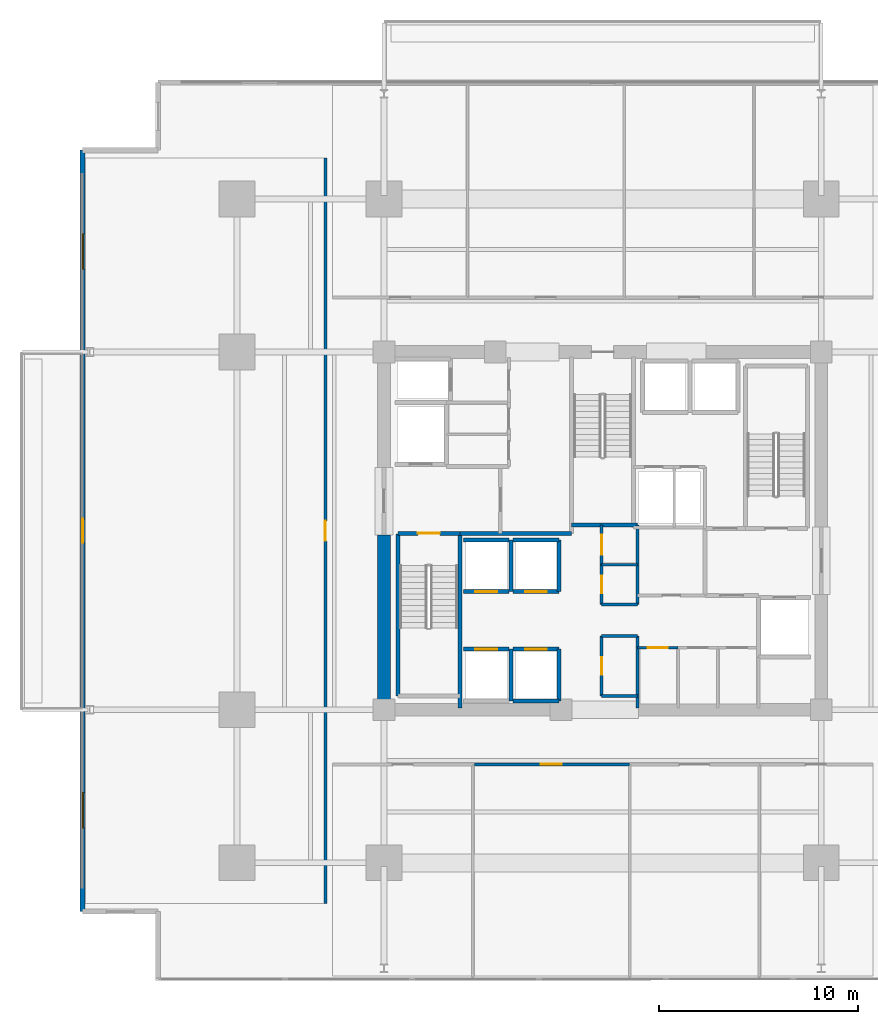
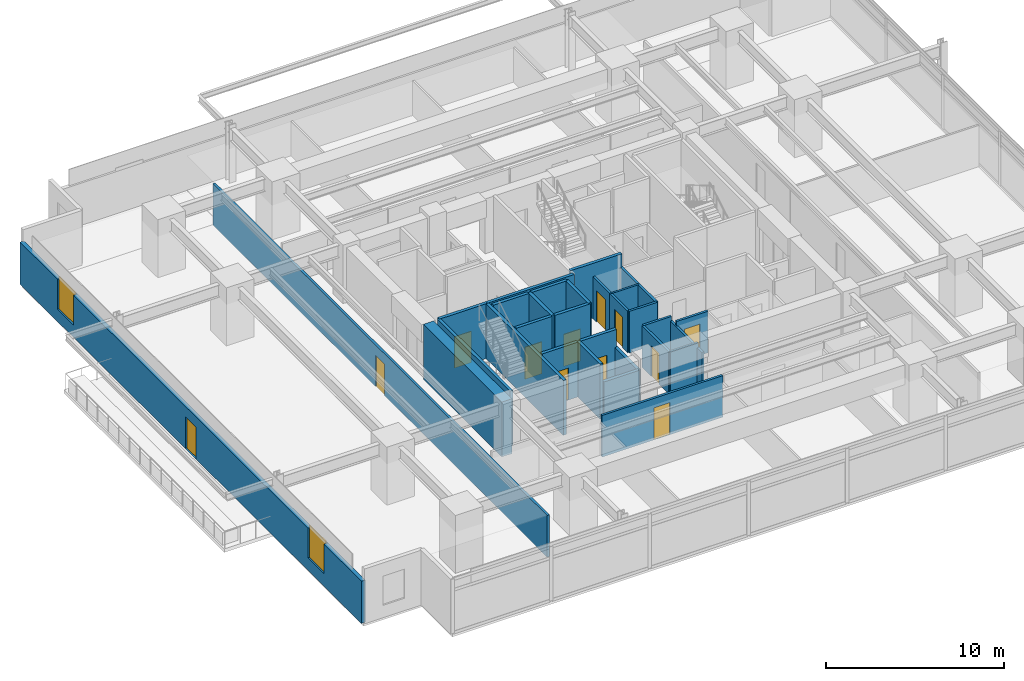
# One storey, part 13 of 20: 30 walls, 12 doors, 2 windows, 14 openings.
"""IFC4 building model written with IfcOpenShell, lengths in metres."""

from ifc_helpers import new_model, si_unit, direction, frame, frame_2d, origin, place, context, subcontext, project, spatial, rectangle, extrude, material, layer, layer_set, type_object, element, fill, save


model = new_model("IFC4")

# Units and contexts
model_context = context("Model", 3, precision=1e-05, world=origin(), true_north=direction((0.0, 1.0)))
body_context = subcontext(model_context, "Body", "Model", "MODEL_VIEW")
ifc_project = project(units=[si_unit("LENGTHUNIT", "METRE"), si_unit("AREAUNIT", "SQUARE_METRE"), si_unit("VOLUMEUNIT", "CUBIC_METRE"), si_unit("PLANEANGLEUNIT", "RADIAN"), si_unit("MASSUNIT", "GRAM", prefix="KILO")], contexts=[model_context])

# Site, building, storey
site_placement = place(None, origin())
site = spatial("IfcSite", under=ifc_project, at=site_placement, CompositionType="ELEMENT")
building_placement = place(site_placement, origin())
building = spatial("IfcBuilding", under=site, at=building_placement, Name="Kovane Verandah Tower", CompositionType="ELEMENT")
storey_placement = place(building_placement, frame((0.0, 0.0, 75.60009765625)))
storey = spatial("IfcBuildingStorey", under=building, at=storey_placement, Name="L17", CompositionType="ELEMENT", Elevation=75.60009765625)

# Walls
ifc_material_1 = material(Name="Fire-Rated Gypsum Stud Partition", Category="gypsum")
ifc_layer_1 = layer(ifc_material_1, 0.14990234375)
ifc_layer_set_1 = layer_set([ifc_layer_1], Name="Fire-Rated Gypsum Stud Partition")
wall_type_1 = type_object("IfcWallType", Name="WL-COR-150", PredefinedType="PARTITIONING", material=ifc_layer_set_1)
for number, where, z_axis, x_axis, name in (
    (1, (39.949951171875, 19.199951171875, 0.0), (0.0, 0.0, 1.0), (1.0, 0.0, 0.0), "L17 Central Core Strip South Wall"),
    (2, (39.949951171875, 22.199951171875, 0.0), (0.0, 0.0, 1.0), (1.0, 0.0, 0.0), "L17 Core Cross-Passage South Wall"),
    (3, (39.949951171875, 23.800048828125, 0.0), (0.0, 0.0, 1.0), (1.0, 0.0, 0.0), "L17 Core Cross-Passage North Wall"),
):
    element("IfcWall", number, at=place(storey_placement, frame(where, z_axis=z_axis, x_axis=x_axis)), inside=storey, type_object=wall_type_1, Name=name, PredefinedType="PARTITIONING", context=body_context, shape_type="SweptSolid", body=[
        extrude(rectangle(XDim=1.81005859375, YDim=0.14990234375, at=frame_2d((0.905029296875, 0.0))), origin(), (0.0, 0.0, 1.0), 2.849853515625),
    ])
wall_1_placement = place(storey_placement, frame((41.760009765625, 18.60009765625, 0.0), z_axis=(0.0, 0.0, 1.0), x_axis=(0.0, 1.0, 0.0)))
element("IfcWall", 4, at=wall_1_placement, inside=storey, type_object=wall_type_1, Name="L17 Central Core Strip Lower East Wall", PredefinedType="PARTITIONING", context=body_context, shape_type="SweptSolid", body=[
    extrude(rectangle(XDim=3.599853515625, YDim=0.14990234375, at=frame_2d((1.7998046875, 0.0))), origin(), (0.0, 0.0, 1.0), 2.539794921875),
])
wall_2_placement = place(storey_placement, frame((41.760009765625, 23.800048828125, 0.0), z_axis=(0.0, 0.0, 1.0), x_axis=(0.0, 1.0, 0.0)))
element("IfcWall", 5, at=wall_2_placement, inside=storey, type_object=wall_type_1, Name="L17 Central Core Strip Upper East Wall", PredefinedType="PARTITIONING", context=body_context, shape_type="SweptSolid", body=[
    extrude(rectangle(XDim=4.0, YDim=0.14990234375, at=frame_2d((2.0, 0.0))), origin(), (0.0, 0.0, 1.0), 2.849853515625),
])

# Wall, opening, door
wall_3_placement = place(storey_placement, frame((39.949951171875, 19.199951171875, 0.0), z_axis=(0.0, 0.0, 1.0), x_axis=(0.0, 1.0, 0.0)))
wall_3 = element("IfcWall", 6, at=wall_3_placement, inside=storey, type_object=wall_type_1, Name="L17 Male Toilet Partition", PredefinedType="PARTITIONING", context=body_context, shape_type="SweptSolid", body=[
    extrude(rectangle(XDim=3.0, YDim=0.14990234375, at=frame_2d((1.5, 0.0))), origin(), (0.0, 0.0, 1.0), 2.849853515625),
])
opening_1_placement = place(wall_3_placement, frame((1.050048828125, 0.0, 0.0)))
opening_1 = element("IfcOpeningElement", 7, at=opening_1_placement, cuts=wall_3, Name="Opening DR-L17-032", PredefinedType="OPENING", context=body_context, shape_type="SweptSolid", body=[
    extrude(rectangle(XDim=0.89990234375, YDim=2.10009765625, at=frame_2d((0.449951171875, 1.050048828125))), frame((0.0, 0.074951171875, 0.0), z_axis=(0.0, -1.0, 0.0), x_axis=(1.0, 0.0, 0.0)), (0.0, 0.0, 1.0), 0.14990234375),
])
ifc_material_2 = material(Name="Moisture-Resistant Laminate Washroom Door", Category="wood")
door_type_1 = type_object("IfcDoorType", Name="DR-WC-900", OperationType="SINGLE_SWING_LEFT", PredefinedType="DOOR", material=ifc_material_2)
door_1_placement = place(opening_1_placement, origin())
door_1 = element("IfcDoor", 8, at=door_1_placement, inside=storey, type_object=door_type_1, Name="L17 Male Toilet Door", OperationType="SINGLE_SWING_RIGHT", OverallHeight=2.10009765625, OverallWidth=0.89990234375, PredefinedType="DOOR", context=body_context, shape_type="SweptSolid", body=[
    extrude(rectangle(XDim=0.89990234375, YDim=2.10009765625, at=frame_2d((0.449951171875, 1.050048828125))), frame((0.0, 0.02490234375, 0.0), z_axis=(0.0, -1.0, 0.0), x_axis=(1.0, 0.0, 0.0)), (0.0, 0.0, 1.0), 0.050048828125),
])
fill(opening_1, door_1)

wall_4_placement = place(storey_placement, frame((39.949951171875, 23.800048828125, 0.0), z_axis=(0.0, 0.0, 1.0), x_axis=(0.0, 1.0, 0.0)))
wall_4 = element("IfcWall", 9, at=wall_4_placement, inside=storey, type_object=wall_type_1, Name="L17 Female Toilet Partition", PredefinedType="PARTITIONING", context=body_context, shape_type="SweptSolid", body=[
    extrude(rectangle(XDim=2.0, YDim=0.14990234375, at=frame_2d((1.0, 0.0))), origin(), (0.0, 0.0, 1.0), 2.849853515625),
])
opening_2_placement = place(wall_4_placement, frame((0.550048828125, 0.0, 0.0)))
opening_2 = element("IfcOpeningElement", 10, at=opening_2_placement, cuts=wall_4, Name="Opening DR-L17-031", PredefinedType="OPENING", context=body_context, shape_type="SweptSolid", body=[
    extrude(rectangle(XDim=0.89990234375, YDim=2.10009765625, at=frame_2d((0.449951171875, 1.050048828125))), frame((0.0, 0.074951171875, 0.0), z_axis=(0.0, -1.0, 0.0), x_axis=(1.0, 0.0, 0.0)), (0.0, 0.0, 1.0), 0.14990234375),
])
door_2_placement = place(opening_2_placement, origin())
door_2 = element("IfcDoor", 11, at=door_2_placement, inside=storey, type_object=door_type_1, Name="L17 Female Toilet Door", OperationType="SINGLE_SWING_LEFT", OverallHeight=2.10009765625, OverallWidth=0.89990234375, PredefinedType="DOOR", context=body_context, shape_type="SweptSolid", body=[
    extrude(rectangle(XDim=0.89990234375, YDim=2.10009765625, at=frame_2d((0.449951171875, 1.050048828125))), frame((0.0, 0.02490234375, 0.0), z_axis=(0.0, -1.0, 0.0), x_axis=(1.0, 0.0, 0.0)), (0.0, 0.0, 1.0), 0.050048828125),
])
fill(opening_2, door_2)

wall_5_placement = place(storey_placement, frame((39.949951171875, 25.800048828125, 0.0), z_axis=(0.0, 0.0, 1.0), x_axis=(0.0, 1.0, 0.0)))
wall_5 = element("IfcWall", 12, at=wall_5_placement, inside=storey, type_object=wall_type_1, Name="L17 Central First Aid and Wellness Room Partition", PredefinedType="PARTITIONING", context=body_context, shape_type="SweptSolid", body=[
    extrude(rectangle(XDim=2.0, YDim=0.14990234375, at=frame_2d((1.0, 0.0))), origin(), (0.0, 0.0, 1.0), 2.849853515625),
])
opening_3_placement = place(wall_5_placement, frame((0.5, 0.0, 0.0)))
opening_3 = element("IfcOpeningElement", 13, at=opening_3_placement, cuts=wall_5, Name="Opening DR-L17-029", PredefinedType="OPENING", context=body_context, shape_type="SweptSolid", body=[
    extrude(rectangle(XDim=1.0, YDim=2.14990234375, at=frame_2d((0.5, 1.074951171875))), frame((0.0, 0.074951171875, 0.0), z_axis=(0.0, -1.0, 0.0), x_axis=(1.0, 0.0, 0.0)), (0.0, 0.0, 1.0), 0.14990234375),
])
ifc_material_3 = material(Name="FSC Spotted-Gum Timber Fire-Rated Office Door", Category="wood")
door_type_2 = type_object("IfcDoorType", Name="DR-OFF-1000", OperationType="SINGLE_SWING_LEFT", PredefinedType="DOOR", material=ifc_material_3)
door_3_placement = place(opening_3_placement, origin())
door_3 = element("IfcDoor", 14, at=door_3_placement, inside=storey, type_object=door_type_2, Name="L17 Central First Aid and Wellness Room Door", OperationType="SINGLE_SWING_RIGHT", OverallHeight=2.14990234375, OverallWidth=1.0, PredefinedType="DOOR", context=body_context, shape_type="SweptSolid", body=[
    extrude(rectangle(XDim=1.0, YDim=2.14990234375, at=frame_2d((0.5, 1.074951171875))), frame((0.0, 0.02490234375, 0.0), z_axis=(0.0, -1.0, 0.0), x_axis=(1.0, 0.0, 0.0)), (0.0, 0.0, 1.0), 0.050048828125),
])
fill(opening_3, door_3)

wall_6_placement = place(storey_placement, frame((41.760009765625, 21.6201171875, 0.0), z_axis=(0.0, 0.0, 1.0), x_axis=(1.0, 0.0, 0.0)))
wall_6 = element("IfcWall", 15, at=wall_6_placement, inside=storey, type_object=wall_type_1, Name="L17 Mail and Copy Room Partition", PredefinedType="PARTITIONING", context=body_context, shape_type="SweptSolid", body=[
    extrude(rectangle(XDim=2.0400390625, YDim=0.14990234375, at=frame_2d((1.02001953125, 0.0))), origin(), (0.0, 0.0, 1.0), 2.849853515625),
])
opening_4_placement = place(wall_6_placement, frame((0.52001953125, 0.0, 0.0)))
opening_4 = element("IfcOpeningElement", 16, at=opening_4_placement, cuts=wall_6, Name="Opening DR-L17-015", PredefinedType="OPENING", context=body_context, shape_type="SweptSolid", body=[
    extrude(rectangle(XDim=1.0, YDim=2.14990234375, at=frame_2d((0.5, 1.074951171875))), frame((0.0, 0.074951171875, 0.0), z_axis=(0.0, -1.0, 0.0), x_axis=(1.0, 0.0, 0.0)), (0.0, 0.0, 1.0), 0.14990234375),
])
door_4_placement = place(opening_4_placement, origin())
door_4 = element("IfcDoor", 17, at=door_4_placement, inside=storey, type_object=door_type_2, Name="L17 Mail and Copy Room Door", OperationType="SINGLE_SWING_RIGHT", OverallHeight=2.14990234375, OverallWidth=1.0, PredefinedType="DOOR", context=body_context, shape_type="SweptSolid", body=[
    extrude(rectangle(XDim=1.0, YDim=2.14990234375, at=frame_2d((0.5, 1.074951171875))), frame((0.0, 0.02490234375, 0.0), z_axis=(0.0, -1.0, 0.0), x_axis=(1.0, 0.0, 0.0)), (0.0, 0.0, 1.0), 0.050048828125),
])
fill(opening_4, door_4)

wall_7_placement = place(storey_placement, frame((33.5419921875, 15.75, 0.0), z_axis=(0.0, 0.0, 1.0), x_axis=(1.0, 0.0, 0.0)))
wall_7 = element("IfcWall", 18, at=wall_7_placement, inside=storey, type_object=wall_type_1, Name="L17 Executive Office S2 Corridor Partition", PredefinedType="PARTITIONING", context=body_context, shape_type="SweptSolid", body=[
    extrude(rectangle(XDim=7.818115234375, YDim=0.14990234375, at=frame_2d((3.9091796875, 0.0))), origin(), (0.0, 0.0, 1.0), 2.849853515625),
])
opening_5_placement = place(wall_7_placement, frame((3.34912109375, 0.0, 0.0)))
opening_5 = element("IfcOpeningElement", 19, at=opening_5_placement, cuts=wall_7, Name="Opening DR-L17-026", PredefinedType="OPENING", context=body_context, shape_type="SweptSolid", body=[
    extrude(rectangle(XDim=1.050048828125, YDim=2.199951171875, at=frame_2d((0.52490234375, 1.10009765625))), frame((0.0, 0.074951171875, 0.0), z_axis=(0.0, -1.0, 0.0), x_axis=(1.0, 0.0, 0.0)), (0.0, 0.0, 1.0), 0.14990234375),
])
ifc_material_4 = material(Name="FSC Blackbutt Timber Fire-Rated Executive Door", Category="wood")
door_type_3 = type_object("IfcDoorType", Name="DR-EXEC-1050", OperationType="SINGLE_SWING_LEFT", PredefinedType="DOOR", material=ifc_material_4)
door_5_placement = place(opening_5_placement, origin())
door_5 = element("IfcDoor", 20, at=door_5_placement, inside=storey, type_object=door_type_3, Name="L17 Executive Office S2 Entrance Door", OperationType="SINGLE_SWING_LEFT", OverallHeight=2.199951171875, OverallWidth=1.050048828125, PredefinedType="DOOR", context=body_context, shape_type="SweptSolid", body=[
    extrude(rectangle(XDim=1.050048828125, YDim=2.199951171875, at=frame_2d((0.52490234375, 1.10009765625))), frame((0.0, 0.02490234375, 0.0), z_axis=(0.0, -1.0, 0.0), x_axis=(1.0, 0.0, 0.0)), (0.0, 0.0, 1.0), 0.050048828125),
])
fill(opening_5, door_5)

wall_8_placement = place(storey_placement, frame((26.050048828125, 8.746337890625, 0.0), z_axis=(0.0, 0.0, 1.0), x_axis=(0.0, 1.0, 0.0)))
wall_8 = element("IfcWall", 21, at=wall_8_placement, inside=storey, type_object=wall_type_1, Name="L17 Focus Studio W1 Corridor Partition", PredefinedType="PARTITIONING", context=body_context, shape_type="SweptSolid", body=[
    extrude(rectangle(XDim=37.50732421875, YDim=0.14990234375, at=frame_2d((18.753662109375, 0.0))), origin(), (0.0, 0.0, 1.0), 2.849853515625),
])
opening_6_placement = place(wall_8_placement, frame((18.253662109375, 0.0, 0.0)))
opening_6 = element("IfcOpeningElement", 22, at=opening_6_placement, cuts=wall_8, Name="Opening DR-L17-033", PredefinedType="OPENING", context=body_context, shape_type="SweptSolid", body=[
    extrude(rectangle(XDim=1.0, YDim=2.14990234375, at=frame_2d((0.5, 1.074951171875))), frame((0.0, 0.074951171875, 0.0), z_axis=(0.0, -1.0, 0.0), x_axis=(1.0, 0.0, 0.0)), (0.0, 0.0, 1.0), 0.14990234375),
])
door_6_placement = place(opening_6_placement, origin())
door_6 = element("IfcDoor", 23, at=door_6_placement, inside=storey, type_object=door_type_2, Name="L17 Focus Studio W1 Entrance Door", OperationType="SINGLE_SWING_RIGHT", OverallHeight=2.14990234375, OverallWidth=1.0, PredefinedType="DOOR", context=body_context, shape_type="SweptSolid", body=[
    extrude(rectangle(XDim=1.0, YDim=2.14990234375, at=frame_2d((0.5, 1.074951171875))), frame((0.0, 0.02490234375, 0.0), z_axis=(0.0, -1.0, 0.0), x_axis=(1.0, 0.0, 0.0)), (0.0, 0.0, 1.0), 0.050048828125),
])
fill(opening_6, door_6)

# Walls
ifc_material_5 = material(Name="Concrete C80/95", Category="concrete")
ifc_layer_2 = layer(ifc_material_5, 0.64990234375)
ifc_layer_set_2 = layer_set([ifc_layer_2], Name="Concrete C80/95")
wall_type_2 = type_object("IfcWallType", Name="WL-CORE-650", PredefinedType="SHEAR", material=ifc_layer_set_2)
wall_9_placement = place(storey_placement, frame((29.0, 18.5, 0.0), z_axis=(0.0, 0.0, 1.0), x_axis=(0.0, 1.0, 0.0)))
element("IfcWall", 24, at=wall_9_placement, inside=storey, type_object=wall_type_2, Name="L17 Core Shear Wall CW-1", PredefinedType="SHEAR", context=body_context, shape_type="SweptSolid", body=[
    extrude(rectangle(XDim=8.800048828125, YDim=0.64990234375, at=frame_2d((4.39990234375, 0.0))), origin(), (0.0, 0.0, 1.0), 3.760009765625),
])
ifc_material_6 = material(Name="Concrete C45/55 Fire Wall", Category="concrete")
ifc_layer_3 = layer(ifc_material_6, 0.199951171875)
ifc_layer_set_3 = layer_set([ifc_layer_3], Name="Concrete C45/55 Fire Wall")
wall_type_3 = type_object("IfcWallType", Name="WL-FFL-200", PredefinedType="PARTITIONING", material=ifc_layer_set_3)
wall_10_placement = place(storey_placement, frame((32.820068359375, 27.3798828125, 0.0), z_axis=(0.0, 0.0, 1.0), x_axis=(1.0, 0.0, 0.0)))
element("IfcWall", 25, at=wall_10_placement, inside=storey, type_object=wall_type_3, Name="L17 West Firefighting Lobby South Fire Wall", PredefinedType="PARTITIONING", context=body_context, shape_type="SweptSolid", body=[
    extrude(rectangle(XDim=5.619873046875, YDim=0.199951171875, at=frame_2d((2.81005859375, 0.0))), origin(), (0.0, 0.0, 1.0), 3.760009765625),
])

# Wall, opening, door
ifc_material_7 = material(Name="Concrete C45/55 Lift Shaft Wall", Category="concrete")
ifc_layer_4 = layer(ifc_material_7, 0.199951171875)
ifc_layer_set_4 = layer_set([ifc_layer_4], Name="Concrete C45/55 Lift Shaft Wall")
wall_type_4 = type_object("IfcWallType", Name="WL-LIFT-200", PredefinedType="SOLIDWALL", material=ifc_layer_set_4)
wall_11_placement = place(storey_placement, frame((35.300048828125, 21.550048828125, 0.0), z_axis=(0.0, 0.0, 1.0), x_axis=(-1.0, 0.0, 0.0)))
wall_11 = element("IfcWall", 26, at=wall_11_placement, inside=storey, type_object=wall_type_4, Name="L17 Lift PL-L1 N Shaft Wall", PredefinedType="SOLIDWALL", context=body_context, shape_type="SweptSolid", body=[
    extrude(rectangle(XDim=2.300048828125, YDim=0.199951171875, at=frame_2d((1.14990234375, 0.0))), origin(), (0.0, 0.0, 1.0), 3.760009765625),
])
opening_7_placement = place(wall_11_placement, frame((0.60009765625, 0.0, 0.0)))
opening_7 = element("IfcOpeningElement", 27, at=opening_7_placement, cuts=wall_11, Name="Opening LD-L17-004", PredefinedType="OPENING", context=body_context, shape_type="SweptSolid", body=[
    extrude(rectangle(XDim=1.10009765625, YDim=2.199951171875, at=frame_2d((0.550048828125, 1.10009765625))), frame((0.0, 0.10009765625, 0.0), z_axis=(0.0, -1.0, 0.0), x_axis=(1.0, 0.0, 0.0)), (0.0, 0.0, 1.0), 0.199951171875),
])
ifc_material_8 = material(Name="Brushed Stainless Steel Sliding Lift Landing Door", Category="steel")
door_type_4 = type_object("IfcDoorType", Name="DR-LIFT-1100", OperationType="SLIDING_TO_RIGHT", PredefinedType="DOOR", material=ifc_material_8)
door_7_placement = place(opening_7_placement, origin())
door_7 = element("IfcDoor", 28, at=door_7_placement, inside=storey, type_object=door_type_4, Name="L17 Lift PL-L1 Sliding Landing Door", OperationType="SLIDING_TO_RIGHT", OverallHeight=2.199951171875, OverallWidth=1.10009765625, PredefinedType="DOOR", context=body_context, shape_type="SweptSolid", body=[
    extrude(rectangle(XDim=1.10009765625, YDim=2.199951171875, at=frame_2d((0.550048828125, 1.10009765625))), frame((0.0, 0.02490234375, 0.0), z_axis=(0.0, -1.0, 0.0), x_axis=(1.0, 0.0, 0.0)), (0.0, 0.0, 1.0), 0.050048828125),
])
fill(opening_7, door_7)

# Walls
wall_12_placement = place(storey_placement, frame((35.39990234375, 18.949951171875, 0.0), z_axis=(0.0, 0.0, 1.0), x_axis=(0.0, 1.0, 0.0)))
element("IfcWall", 29, at=wall_12_placement, inside=storey, type_object=wall_type_4, Name="L17 Lift PL-L1 and PL-L2 Shared Shaft Wall", PredefinedType="SOLIDWALL", context=body_context, shape_type="SweptSolid", body=[
    extrude(rectangle(XDim=2.60009765625, YDim=0.199951171875, at=frame_2d((1.300048828125, 0.0))), origin(), (0.0, 0.0, 1.0), 3.760009765625),
])
wall_13_placement = place(storey_placement, frame((35.5, 18.949951171875, 0.0), z_axis=(0.0, 0.0, 1.0), x_axis=(1.0, 0.0, 0.0)))
element("IfcWall", 30, at=wall_13_placement, inside=storey, type_object=wall_type_4, Name="L17 Lift PL-L2 S Shaft Wall", PredefinedType="SOLIDWALL", context=body_context, shape_type="SweptSolid", body=[
    extrude(rectangle(XDim=2.300048828125, YDim=0.199951171875, at=frame_2d((1.14990234375, 0.0))), origin(), (0.0, 0.0, 1.0), 2.539794921875),
])

# Wall, opening, door
wall_14_placement = place(storey_placement, frame((37.800048828125, 21.550048828125, 0.0), z_axis=(0.0, 0.0, 1.0), x_axis=(-1.0, 0.0, 0.0)))
wall_14 = element("IfcWall", 31, at=wall_14_placement, inside=storey, type_object=wall_type_4, Name="L17 Lift PL-L2 N Shaft Wall", PredefinedType="SOLIDWALL", context=body_context, shape_type="SweptSolid", body=[
    extrude(rectangle(XDim=2.300048828125, YDim=0.199951171875, at=frame_2d((1.14990234375, 0.0))), origin(), (0.0, 0.0, 1.0), 3.760009765625),
])
opening_8_placement = place(wall_14_placement, frame((0.60009765625, 0.0, 0.0)))
opening_8 = element("IfcOpeningElement", 32, at=opening_8_placement, cuts=wall_14, Name="Opening LD-L17-005", PredefinedType="OPENING", context=body_context, shape_type="SweptSolid", body=[
    extrude(rectangle(XDim=1.10009765625, YDim=2.199951171875, at=frame_2d((0.550048828125, 1.10009765625))), frame((0.0, 0.10009765625, 0.0), z_axis=(0.0, -1.0, 0.0), x_axis=(1.0, 0.0, 0.0)), (0.0, 0.0, 1.0), 0.199951171875),
])
door_8_placement = place(opening_8_placement, origin())
door_8 = element("IfcDoor", 33, at=door_8_placement, inside=storey, type_object=door_type_4, Name="L17 Lift PL-L2 Sliding Landing Door", OperationType="SLIDING_TO_RIGHT", OverallHeight=2.199951171875, OverallWidth=1.10009765625, PredefinedType="DOOR", context=body_context, shape_type="SweptSolid", body=[
    extrude(rectangle(XDim=1.10009765625, YDim=2.199951171875, at=frame_2d((0.550048828125, 1.10009765625))), frame((0.0, 0.02490234375, 0.0), z_axis=(0.0, -1.0, 0.0), x_axis=(1.0, 0.0, 0.0)), (0.0, 0.0, 1.0), 0.050048828125),
])
fill(opening_8, door_8)

# Wall
wall_15_placement = place(storey_placement, frame((37.800048828125, 18.949951171875, 0.0), z_axis=(0.0, 0.0, 1.0), x_axis=(0.0, 1.0, 0.0)))
element("IfcWall", 34, at=wall_15_placement, inside=storey, type_object=wall_type_4, Name="L17 Lift PL-L2 E Shaft Wall", PredefinedType="SOLIDWALL", context=body_context, shape_type="SweptSolid", body=[
    extrude(rectangle(XDim=2.60009765625, YDim=0.199951171875, at=frame_2d((1.300048828125, 0.0))), origin(), (0.0, 0.0, 1.0), 2.539794921875),
])

# Wall, opening, door
wall_16_placement = place(storey_placement, frame((33.0, 24.449951171875, 0.0), z_axis=(0.0, 0.0, 1.0), x_axis=(1.0, 0.0, 0.0)))
wall_16 = element("IfcWall", 35, at=wall_16_placement, inside=storey, type_object=wall_type_4, Name="L17 Lift PL-L3 S Shaft Wall", PredefinedType="SOLIDWALL", context=body_context, shape_type="SweptSolid", body=[
    extrude(rectangle(XDim=2.300048828125, YDim=0.199951171875, at=frame_2d((1.14990234375, 0.0))), origin(), (0.0, 0.0, 1.0), 3.760009765625),
])
opening_9_placement = place(wall_16_placement, frame((0.60009765625, 0.0, 0.0)))
opening_9 = element("IfcOpeningElement", 36, at=opening_9_placement, cuts=wall_16, Name="Opening LD-L17-006", PredefinedType="OPENING", context=body_context, shape_type="SweptSolid", body=[
    extrude(rectangle(XDim=1.10009765625, YDim=2.199951171875, at=frame_2d((0.550048828125, 1.10009765625))), frame((0.0, 0.10009765625, 0.0), z_axis=(0.0, -1.0, 0.0), x_axis=(1.0, 0.0, 0.0)), (0.0, 0.0, 1.0), 0.199951171875),
])
door_9_placement = place(opening_9_placement, origin())
door_9 = element("IfcDoor", 37, at=door_9_placement, inside=storey, type_object=door_type_4, Name="L17 Lift PL-L3 Sliding Landing Door", OperationType="SLIDING_TO_RIGHT", OverallHeight=2.199951171875, OverallWidth=1.10009765625, PredefinedType="DOOR", context=body_context, shape_type="SweptSolid", body=[
    extrude(rectangle(XDim=1.10009765625, YDim=2.199951171875, at=frame_2d((0.550048828125, 1.10009765625))), frame((0.0, 0.02490234375, 0.0), z_axis=(0.0, -1.0, 0.0), x_axis=(1.0, 0.0, 0.0)), (0.0, 0.0, 1.0), 0.050048828125),
])
fill(opening_9, door_9)

# Walls
wall_17_placement = place(storey_placement, frame((35.300048828125, 27.050048828125, 0.0), z_axis=(0.0, 0.0, 1.0), x_axis=(-1.0, 0.0, 0.0)))
element("IfcWall", 38, at=wall_17_placement, inside=storey, type_object=wall_type_4, Name="L17 Lift PL-L3 N Shaft Wall", PredefinedType="SOLIDWALL", context=body_context, shape_type="SweptSolid", body=[
    extrude(rectangle(XDim=2.300048828125, YDim=0.199951171875, at=frame_2d((1.14990234375, 0.0))), origin(), (0.0, 0.0, 1.0), 3.760009765625),
])
wall_18_placement = place(storey_placement, frame((35.39990234375, 24.449951171875, 0.0), z_axis=(0.0, 0.0, 1.0), x_axis=(0.0, 1.0, 0.0)))
element("IfcWall", 39, at=wall_18_placement, inside=storey, type_object=wall_type_4, Name="L17 Lift PL-L3 and PL-L4 Shared Shaft Wall", PredefinedType="SOLIDWALL", context=body_context, shape_type="SweptSolid", body=[
    extrude(rectangle(XDim=2.60009765625, YDim=0.199951171875, at=frame_2d((1.300048828125, 0.0))), origin(), (0.0, 0.0, 1.0), 3.760009765625),
])

# Wall, opening, door
wall_19_placement = place(storey_placement, frame((35.5, 24.449951171875, 0.0), z_axis=(0.0, 0.0, 1.0), x_axis=(1.0, 0.0, 0.0)))
wall_19 = element("IfcWall", 40, at=wall_19_placement, inside=storey, type_object=wall_type_4, Name="L17 Lift PL-L4 S Shaft Wall", PredefinedType="SOLIDWALL", context=body_context, shape_type="SweptSolid", body=[
    extrude(rectangle(XDim=2.300048828125, YDim=0.199951171875, at=frame_2d((1.14990234375, 0.0))), origin(), (0.0, 0.0, 1.0), 3.760009765625),
])
opening_10_placement = place(wall_19_placement, frame((0.60009765625, 0.0, 0.0)))
opening_10 = element("IfcOpeningElement", 41, at=opening_10_placement, cuts=wall_19, Name="Opening LD-L17-007", PredefinedType="OPENING", context=body_context, shape_type="SweptSolid", body=[
    extrude(rectangle(XDim=1.10009765625, YDim=2.199951171875, at=frame_2d((0.550048828125, 1.10009765625))), frame((0.0, 0.10009765625, 0.0), z_axis=(0.0, -1.0, 0.0), x_axis=(1.0, 0.0, 0.0)), (0.0, 0.0, 1.0), 0.199951171875),
])
door_10_placement = place(opening_10_placement, origin())
door_10 = element("IfcDoor", 42, at=door_10_placement, inside=storey, type_object=door_type_4, Name="L17 Lift PL-L4 Sliding Landing Door", OperationType="SLIDING_TO_RIGHT", OverallHeight=2.199951171875, OverallWidth=1.10009765625, PredefinedType="DOOR", context=body_context, shape_type="SweptSolid", body=[
    extrude(rectangle(XDim=1.10009765625, YDim=2.199951171875, at=frame_2d((0.550048828125, 1.10009765625))), frame((0.0, 0.02490234375, 0.0), z_axis=(0.0, -1.0, 0.0), x_axis=(1.0, 0.0, 0.0)), (0.0, 0.0, 1.0), 0.050048828125),
])
fill(opening_10, door_10)

# Walls
wall_20_placement = place(storey_placement, frame((37.800048828125, 27.050048828125, 0.0), z_axis=(0.0, 0.0, 1.0), x_axis=(-1.0, 0.0, 0.0)))
element("IfcWall", 43, at=wall_20_placement, inside=storey, type_object=wall_type_4, Name="L17 Lift PL-L4 N Shaft Wall", PredefinedType="SOLIDWALL", context=body_context, shape_type="SweptSolid", body=[
    extrude(rectangle(XDim=2.300048828125, YDim=0.199951171875, at=frame_2d((1.14990234375, 0.0))), origin(), (0.0, 0.0, 1.0), 3.760009765625),
])
wall_21_placement = place(storey_placement, frame((37.800048828125, 24.449951171875, 0.0), z_axis=(0.0, 0.0, 1.0), x_axis=(0.0, 1.0, 0.0)))
element("IfcWall", 44, at=wall_21_placement, inside=storey, type_object=wall_type_4, Name="L17 Lift PL-L4 E Shaft Wall", PredefinedType="SOLIDWALL", context=body_context, shape_type="SweptSolid", body=[
    extrude(rectangle(XDim=2.60009765625, YDim=0.199951171875, at=frame_2d((1.300048828125, 0.0))), origin(), (0.0, 0.0, 1.0), 3.760009765625),
])
ifc_material_9 = material(Name="Acoustic Fire-Rated Gypsum Partition", Category="gypsum")
ifc_layer_5 = layer(ifc_material_9, 0.1201171875)
ifc_layer_set_5 = layer_set([ifc_layer_5], Name="Acoustic Fire-Rated Gypsum Partition")
wall_type_5 = type_object("IfcWallType", Name="WL-PART-120", PredefinedType="PARTITIONING", material=ifc_layer_set_5)
wall_22_placement = place(storey_placement, frame((39.949951171875, 25.800048828125, 0.0), z_axis=(0.0, 0.0, 1.0), x_axis=(1.0, 0.0, 0.0)))
element("IfcWall", 45, at=wall_22_placement, inside=storey, type_object=wall_type_5, Name="L17 Central Core Strip Upper Dividing Partition", PredefinedType="PARTITIONING", context=body_context, shape_type="SweptSolid", body=[
    extrude(rectangle(XDim=1.81005859375, YDim=0.1201171875, at=frame_2d((0.905029296875, 0.0))), origin(), (0.0, 0.0, 1.0), 2.849853515625),
])
ifc_material_10 = material(Name="Concrete C45/55", Category="concrete")
ifc_layer_6 = layer(ifc_material_10, 0.199951171875)
ifc_layer_set_6 = layer_set([ifc_layer_6], Name="Concrete C45/55")
wall_type_6 = type_object("IfcWallType", Name="WL-SHAFT-200", PredefinedType="SOLIDWALL", material=ifc_layer_set_6)
wall_23_placement = place(storey_placement, frame((29.699951171875, 19.199951171875, 0.0), z_axis=(0.0, 0.0, 1.0), x_axis=(0.0, 1.0, 0.0)))
element("IfcWall", 46, at=wall_23_placement, inside=storey, type_object=wall_type_6, Name="W-L17-ST01-W", PredefinedType="SOLIDWALL", context=body_context, shape_type="SweptSolid", body=[
    extrude(rectangle(XDim=8.150146484375, YDim=0.199951171875, at=frame_2d((4.0751953125, 0.0))), origin(), (0.0, 0.0, 1.0), 3.760009765625),
])
wall_24_placement = place(storey_placement, frame((32.820068359375, 18.60009765625, 0.0), z_axis=(0.0, 0.0, 1.0), x_axis=(0.0, 1.0, 0.0)))
element("IfcWall", 47, at=wall_24_placement, inside=storey, type_object=wall_type_6, Name="W-L17-ST01-E", PredefinedType="SOLIDWALL", context=body_context, shape_type="SweptSolid", body=[
    extrude(rectangle(XDim=8.77978515625, YDim=0.199951171875, at=frame_2d((4.389892578125, 0.0))), origin(), (0.0, 0.0, 1.0), 3.760009765625),
])

# Wall, opening, door
wall_25_placement = place(storey_placement, frame((29.699951171875, 27.3798828125, 0.0), z_axis=(0.0, 0.0, 1.0), x_axis=(1.0, 0.0, 0.0)))
wall_25 = element("IfcWall", 48, at=wall_25_placement, inside=storey, type_object=wall_type_6, Name="W-L17-ST01-N", PredefinedType="SOLIDWALL", context=body_context, shape_type="SweptSolid", body=[
    extrude(rectangle(XDim=3.1201171875, YDim=0.199951171875, at=frame_2d((1.56005859375, 0.0))), origin(), (0.0, 0.0, 1.0), 3.760009765625),
])
opening_11_placement = place(wall_25_placement, frame((1.010009765625, 0.0, 0.0)))
opening_11 = element("IfcOpeningElement", 49, at=opening_11_placement, cuts=wall_25, Name="Opening DR-L17-009", PredefinedType="OPENING", context=body_context, shape_type="SweptSolid", body=[
    extrude(rectangle(XDim=1.10009765625, YDim=2.14990234375, at=frame_2d((0.550048828125, 1.074951171875))), frame((0.0, 0.10009765625, 0.0), z_axis=(0.0, -1.0, 0.0), x_axis=(1.0, 0.0, 0.0)), (0.0, 0.0, 1.0), 0.199951171875),
])
ifc_material_11 = material(Name="Fire-Rated Steel Exit Door", Category="steel")
door_type_5 = type_object("IfcDoorType", Name="DR-STAIR-1100", OperationType="SINGLE_SWING_LEFT", PredefinedType="DOOR", material=ifc_material_11)
door_11_placement = place(opening_11_placement, origin())
door_11 = element("IfcDoor", 50, at=door_11_placement, inside=storey, type_object=door_type_5, Name="L17 ST-01 Fire Exit Stair Door", OperationType="SINGLE_SWING_LEFT", OverallHeight=2.14990234375, OverallWidth=1.10009765625, PredefinedType="DOOR", context=body_context, shape_type="SweptSolid", body=[
    extrude(rectangle(XDim=1.10009765625, YDim=2.14990234375, at=frame_2d((0.550048828125, 1.074951171875))), frame((0.0, 0.02490234375, 0.0), z_axis=(0.0, -1.0, 0.0), x_axis=(1.0, 0.0, 0.0)), (0.0, 0.0, 1.0), 0.050048828125),
])
fill(opening_11, door_11)

# Wall
wall_26_placement = place(storey_placement, frame((38.43994140625, 27.800048828125, 0.0), z_axis=(0.0, 0.0, 1.0), x_axis=(1.0, 0.0, 0.0)))
element("IfcWall", 51, at=wall_26_placement, inside=storey, type_object=wall_type_6, Name="W-L17-ST03-S", PredefinedType="SOLIDWALL", context=body_context, shape_type="SweptSolid", body=[
    extrude(rectangle(XDim=3.320068359375, YDim=0.199951171875, at=frame_2d((1.66015625, 0.0))), origin(), (0.0, 0.0, 1.0), 3.760009765625),
])

# Wall, openings, door, windows
ifc_material_12 = material(Name="Concrete C45/55 Insulated Spandrel Wall", Category="concrete")
ifc_layer_7 = layer(ifc_material_12, 0.260009765625)
ifc_layer_set_7 = layer_set([ifc_layer_7], Name="Concrete C45/55 Insulated Spandrel Wall")
wall_type_7 = type_object("IfcWallType", Name="WL-SPANDREL-260", PredefinedType="PARAPET", material=ifc_layer_set_7)
wall_27_placement = place(storey_placement, frame((13.837646484375, 46.65380859375, 0.0), z_axis=(0.0, 0.0, 1.0), x_axis=(0.0, -1.0, 0.0)))
wall_27 = element("IfcWall", 52, at=wall_27_placement, inside=storey, type_object=wall_type_7, Name="L17 W Verandah Access Facade Wall", PredefinedType="PARAPET", context=body_context, shape_type="SweptSolid", body=[
    extrude(rectangle(XDim=38.3076171875, YDim=0.260009765625, at=frame_2d((19.15380859375, 0.0))), origin(), (0.0, 0.0, 1.0), 2.88916015625),
])
opening_12_placement = place(wall_27_placement, frame((4.199951171875, 0.0, 0.85009765625)))
opening_12 = element("IfcOpeningElement", 53, at=opening_12_placement, cuts=wall_27, Name="Opening W-03", PredefinedType="OPENING", context=body_context, shape_type="SweptSolid", body=[
    extrude(rectangle(XDim=1.800048828125, YDim=2.199951171875, at=frame_2d((0.89990234375, 1.10009765625))), frame((0.0, 0.1298828125, 0.0), z_axis=(0.0, -1.0, 0.0), x_axis=(1.0, 0.0, 0.0)), (0.0, 0.0, 1.0), 0.260009765625),
])
opening_13_placement = place(wall_27_placement, frame((18.5537109375, 0.0, 0.0)))
opening_13 = element("IfcOpeningElement", 54, at=opening_13_placement, cuts=wall_27, Name="Opening DR-L17-002", PredefinedType="OPENING", context=body_context, shape_type="SweptSolid", body=[
    extrude(rectangle(XDim=1.199951171875, YDim=2.199951171875, at=frame_2d((0.60009765625, 1.10009765625))), frame((0.0, 0.1298828125, 0.0), z_axis=(0.0, -1.0, 0.0), x_axis=(1.0, 0.0, 0.0)), (0.0, 0.0, 1.0), 0.260009765625),
])
opening_14_placement = place(wall_27_placement, frame((32.307373046875, 0.0, 0.85009765625)))
opening_14 = element("IfcOpeningElement", 55, at=opening_14_placement, cuts=wall_27, Name="Opening W-03", PredefinedType="OPENING", context=body_context, shape_type="SweptSolid", body=[
    extrude(rectangle(XDim=1.800048828125, YDim=2.199951171875, at=frame_2d((0.89990234375, 1.10009765625))), frame((0.0, 0.1298828125, 0.0), z_axis=(0.0, -1.0, 0.0), x_axis=(1.0, 0.0, 0.0)), (0.0, 0.0, 1.0), 0.260009765625),
])
ifc_material_13 = material(Name="Cyclone-Rated Glazed Balcony Leaf Door", Category="aluminium")
door_type_6 = type_object("IfcDoorType", Name="DR-BAL-1200x2200", OperationType="SINGLE_SWING_LEFT", PredefinedType="DOOR", material=ifc_material_13)
door_12_placement = place(opening_13_placement, origin())
door_12 = element("IfcDoor", 56, at=door_12_placement, inside=storey, type_object=door_type_6, Name="L17 W Planted Balcony Access Door", OperationType="SINGLE_SWING_LEFT", OverallHeight=2.199951171875, OverallWidth=1.199951171875, PredefinedType="DOOR", context=body_context, shape_type="SweptSolid", body=[
    extrude(rectangle(XDim=1.199951171875, YDim=2.199951171875, at=frame_2d((0.60009765625, 1.10009765625))), frame((0.0, 0.02490234375, 0.0), z_axis=(0.0, -1.0, 0.0), x_axis=(1.0, 0.0, 0.0)), (0.0, 0.0, 1.0), 0.050048828125),
])
fill(opening_13, door_12)
ifc_material_14 = material(Name="Clear Low-E Laminated Double Glazing in Anodised Frame", Category="glass")
window_type = type_object("IfcWindowType", Name="WN-NOTCH-1800x2200", PartitioningType="SINGLE_PANEL", PredefinedType="WINDOW", material=ifc_material_14)
window_1_placement = place(opening_12_placement, origin())
window_1 = element("IfcWindow", 57, at=window_1_placement, inside=storey, type_object=window_type, Name="L17 W Verandah View Window 1", OverallHeight=2.199951171875, OverallWidth=1.800048828125, PartitioningType="SINGLE_PANEL", PredefinedType="WINDOW", context=body_context, shape_type="SweptSolid", body=[
    extrude(rectangle(XDim=1.800048828125, YDim=2.199951171875, at=frame_2d((0.89990234375, 1.10009765625))), frame((0.0, 0.030029296875, 0.0), z_axis=(0.0, -1.0, 0.0), x_axis=(1.0, 0.0, 0.0)), (0.0, 0.0, 1.0), 0.06005859375),
])
fill(opening_12, window_1)
window_2_placement = place(opening_14_placement, origin())
window_2 = element("IfcWindow", 58, at=window_2_placement, inside=storey, type_object=window_type, Name="L17 W Verandah View Window 2", OverallHeight=2.199951171875, OverallWidth=1.800048828125, PartitioningType="SINGLE_PANEL", PredefinedType="WINDOW", context=body_context, shape_type="SweptSolid", body=[
    extrude(rectangle(XDim=1.800048828125, YDim=2.199951171875, at=frame_2d((0.89990234375, 1.10009765625))), frame((0.0, 0.030029296875, 0.0), z_axis=(0.0, -1.0, 0.0), x_axis=(1.0, 0.0, 0.0)), (0.0, 0.0, 1.0), 0.06005859375),
])
fill(opening_14, window_2)

save(model, "model.ifc")
